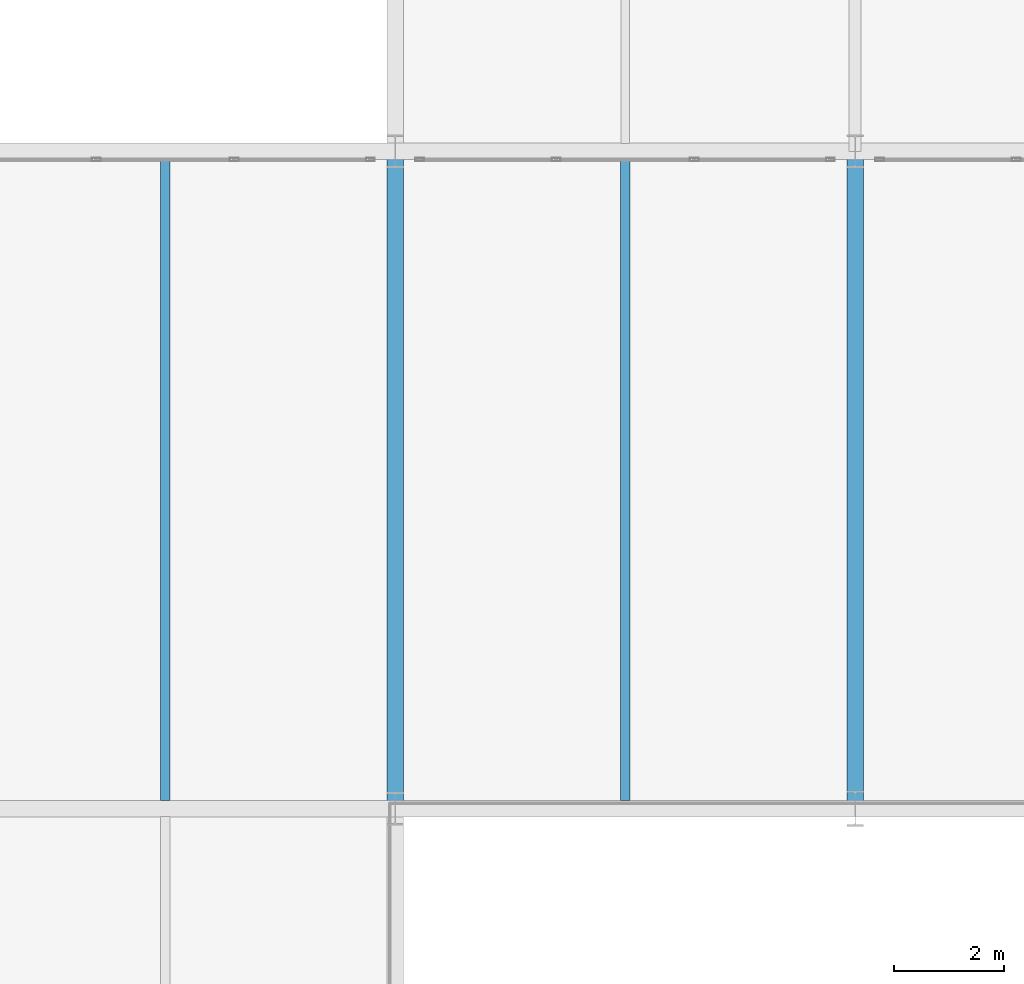
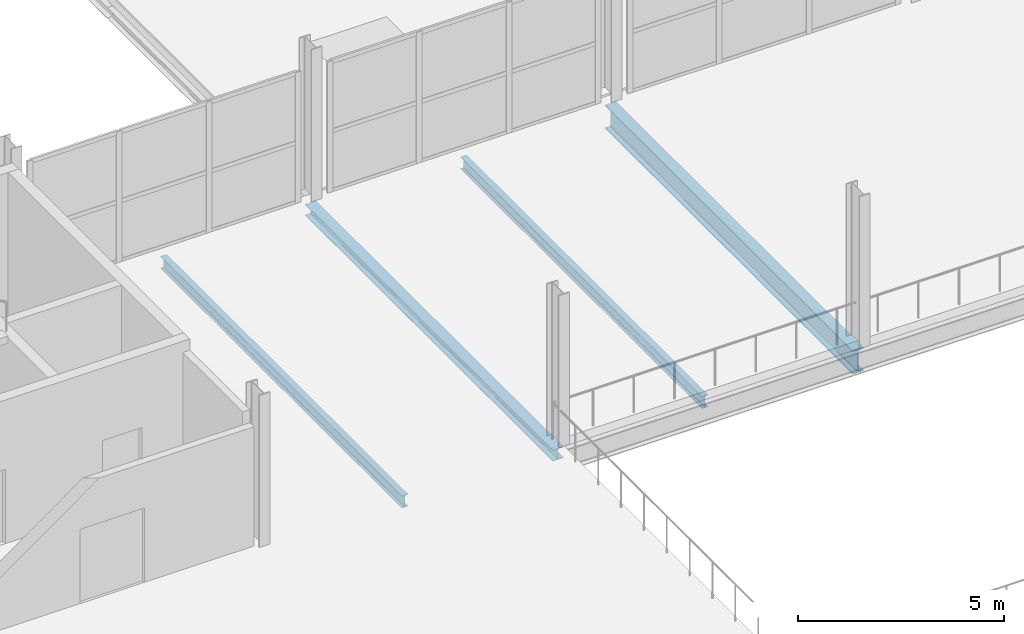
# One storey, part 66 of 130: 4 beams.
"""IFC4 building model written with IfcOpenShell, lengths in metres."""

from ifc_helpers import new_model, si_unit, direction, frame, origin, origin_2d, place, context, subcontext, project, spatial, i_section, extrude, material, material_profile, profile_set, type_object, element, save


model = new_model("IFC4")

# Units and contexts
model_context = context("Model", 3, precision=1e-05, world=origin(), true_north=direction((0.0, 1.0)))
body_context = subcontext(model_context, "Body", "Model", "MODEL_VIEW")
ifc_project = project(units=[si_unit("LENGTHUNIT", "METRE"), si_unit("AREAUNIT", "SQUARE_METRE"), si_unit("VOLUMEUNIT", "CUBIC_METRE"), si_unit("PLANEANGLEUNIT", "RADIAN"), si_unit("MASSUNIT", "GRAM", prefix="KILO")], contexts=[model_context])

# Site, building, storey
site_placement = place(None, origin())
site = spatial("IfcSite", under=ifc_project, at=site_placement, CompositionType="ELEMENT")
building_placement = place(site_placement, origin())
building = spatial("IfcBuilding", under=site, at=building_placement, Name="Veltarok Museum of Natural Sciences", CompositionType="ELEMENT")
storey_placement = place(building_placement, frame((0.0, 0.0, 12.89990234375)))
storey = spatial("IfcBuildingStorey", under=building, at=storey_placement, Name="L02", CompositionType="ELEMENT", Elevation=12.89990234375)

# Beams
ifc_material = material(Name="Steel S355J2", Category="steel")
ifc_material_profile_1 = material_profile(ifc_material, i_section(OverallWidth=0.169921875, OverallDepth=0.360107421875, WebThickness=0.008056640625, FlangeThickness=0.0126953125, FilletRadius=0.01806640625, at=origin_2d()), Name="IPE 360")
ifc_profile_set_1 = profile_set([ifc_material_profile_1], Name="Steel S355J2")
beam_type_1 = type_object("IfcBeamType", Name="Long-Bay Composite Joist IPE 360", PredefinedType="JOIST", material=ifc_profile_set_1)
for number, where, z_axis, x_axis, name in (
    (1, (52.60009765625, 60.14794921875, -0.429931640625), (0.0, 1.0, 0.0), (-1.0, 0.0, 0.0), "Secondary Joist BM-J01 L02 6-7/G-H.1"),
    (2, (61.0, 60.14794921875, -0.429931640625), (0.0, 1.0, 0.0), (-1.0, 0.0, 0.0), "Secondary Joist BM-J01 L02 7-8/G-H.1"),
):
    element("IfcBeam", number, at=place(storey_placement, frame(where, z_axis=z_axis, x_axis=x_axis)), inside=storey, type_object=beam_type_1, Name=name, PredefinedType="JOIST", context=body_context, shape_type="SweptSolid", body=[
        extrude(i_section(OverallWidth=0.169921875, OverallDepth=0.360107421875, WebThickness=0.008056640625, FlangeThickness=0.0126953125, FilletRadius=0.01806640625, at=origin_2d()), origin(), (0.0, 0.0, 1.0), 11.7041015625),
    ])
ifc_material_profile_2 = material_profile(ifc_material, i_section(OverallWidth=0.300048828125, OverallDepth=0.699951171875, WebThickness=0.01708984375, FlangeThickness=0.031982421875, FilletRadius=0.027099609375, at=origin_2d()), Name="HEB 700")
ifc_profile_set_2 = profile_set([ifc_material_profile_2], Name="Steel S355J2")
beam_type_2 = type_object("IfcBeamType", Name="Long-Span Hall Girder HEB 700", PredefinedType="BEAM", material=ifc_profile_set_2)
beam_1_placement = place(storey_placement, frame((65.199951171875, 60.0, -0.599853515625), z_axis=(0.0, 1.0, 0.0), x_axis=(-1.0, 0.0, 0.0)))
element("IfcBeam", 3, at=beam_1_placement, inside=storey, type_object=beam_type_2, Name="Beam BM-G01 L02 8/G-H", PredefinedType="BEAM", context=body_context, shape_type="SweptSolid", body=[
    extrude(i_section(OverallWidth=0.300048828125, OverallDepth=0.699951171875, WebThickness=0.01708984375, FlangeThickness=0.031982421875, FilletRadius=0.027099609375, at=origin_2d()), origin(), (0.0, 0.0, 1.0), 12.0),
])
ifc_material_profile_3 = material_profile(ifc_material, i_section(OverallWidth=0.300048828125, OverallDepth=0.330078125, WebThickness=0.009521484375, FlangeThickness=0.0166015625, FilletRadius=0.027099609375, at=origin_2d()), Name="HEA 340")
ifc_profile_set_3 = profile_set([ifc_material_profile_3], Name="Steel S355J2")
beam_type_3 = type_object("IfcBeamType", Name="Perimeter Upper Spandrel HEA 340", PredefinedType="SPANDREL", material=ifc_profile_set_3)
beam_2_placement = place(storey_placement, frame((56.800048828125, 60.0, -0.414794921875), z_axis=(0.0, 1.0, 0.0), x_axis=(-1.0, 0.0, 0.0)))
element("IfcBeam", 4, at=beam_2_placement, inside=storey, type_object=beam_type_3, Name="Beam BM-SP05 L02 7/G-H", PredefinedType="SPANDREL", context=body_context, shape_type="SweptSolid", body=[
    extrude(i_section(OverallWidth=0.300048828125, OverallDepth=0.330078125, WebThickness=0.009521484375, FlangeThickness=0.0166015625, FilletRadius=0.027099609375, at=origin_2d()), origin(), (0.0, 0.0, 1.0), 12.0),
])

save(model, "model.ifc")
